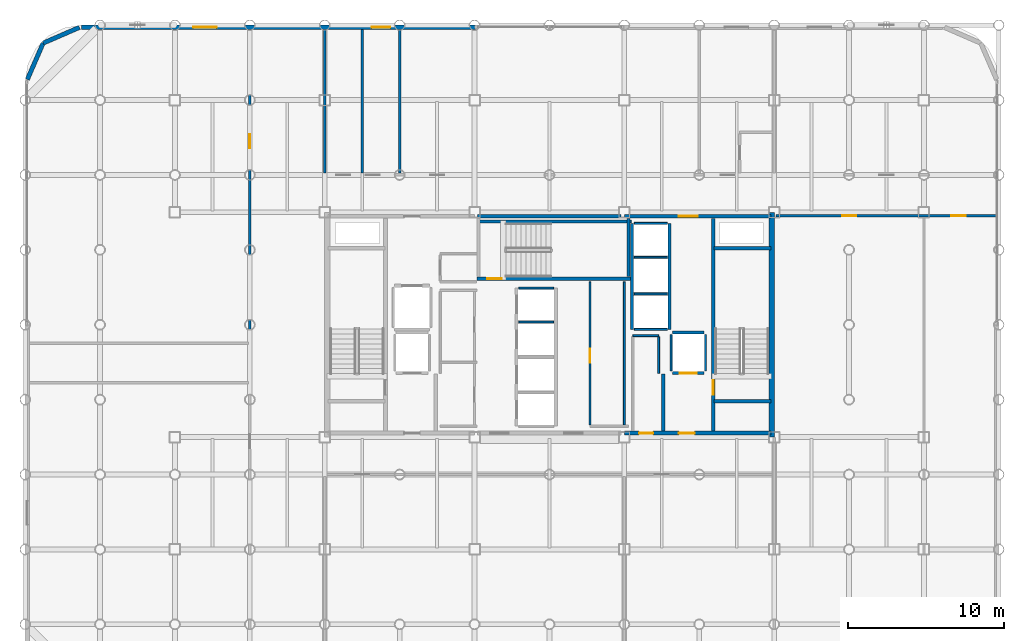
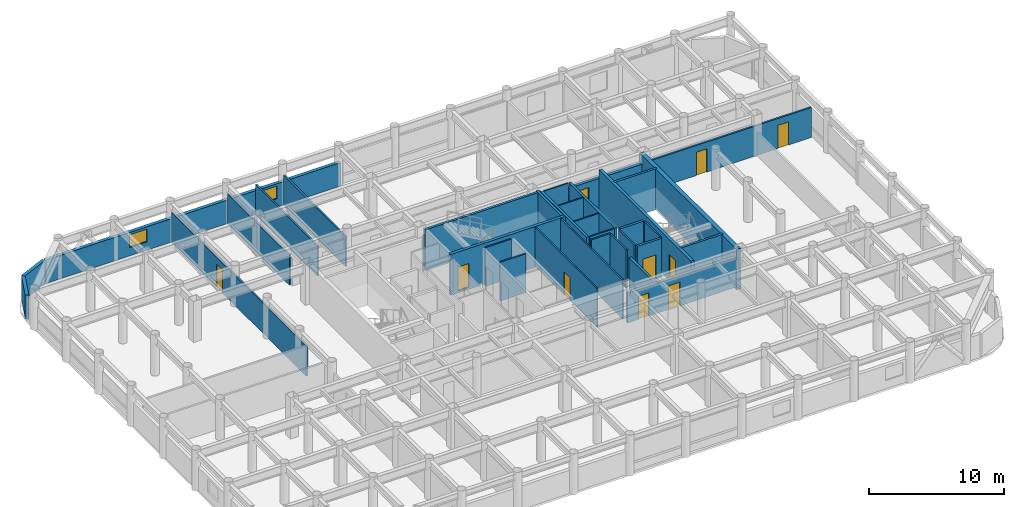
# One storey, part 17 of 19: 35 walls, 10 doors, 2 windows, 12 openings.
"""IFC4 building model written with IfcOpenShell, lengths in metres."""

from ifc_helpers import new_model, si_unit, direction, frame, frame_2d, origin, place, context, subcontext, project, spatial, rectangle, extrude, material, layer, layer_set, type_object, element, fill, save


model = new_model("IFC4")

# Units and contexts
model_context = context("Model", 3, precision=1e-05, world=origin(), true_north=direction((0.0, 1.0)))
body_context = subcontext(model_context, "Body", "Model", "MODEL_VIEW")
ifc_project = project(units=[si_unit("LENGTHUNIT", "METRE"), si_unit("AREAUNIT", "SQUARE_METRE"), si_unit("VOLUMEUNIT", "CUBIC_METRE"), si_unit("PLANEANGLEUNIT", "RADIAN"), si_unit("MASSUNIT", "GRAM", prefix="KILO")], contexts=[model_context])

# Site, building, storey
site_placement = place(None, origin())
site = spatial("IfcSite", under=ifc_project, at=site_placement, CompositionType="ELEMENT")
building_placement = place(site_placement, origin())
building = spatial("IfcBuilding", under=site, at=building_placement, Name="Kallvorn Hotel Tower", CompositionType="ELEMENT")
storey_placement = place(building_placement, frame((0.0, 0.0, 165.5)))
storey = spatial("IfcBuildingStorey", under=building, at=storey_placement, Name="L41", CompositionType="ELEMENT", Elevation=165.5)

# Walls
ifc_material_1 = material(Name="Concrete C50/60", Category="concrete")
ifc_layer_1 = layer(ifc_material_1, 0.35009765625)
ifc_layer_set_1 = layer_set([ifc_layer_1], Name="WL_CORE_350")
wall_type_1 = type_object("IfcWallType", Name="WL_CORE_350", PredefinedType="SHEAR", material=ifc_layer_set_1)
wall_1_placement = place(storey_placement, frame((14.239990234375, -7.199951171875, -0.179931640625), z_axis=(0.0, 0.0, 1.0), x_axis=(0.0, 1.0, 0.0)))
element("IfcWall", 1, at=wall_1_placement, inside=storey, type_object=wall_type_1, Name="L41 Core East Shear Wall", PredefinedType="SHEAR", context=body_context, shape_type="SweptSolid", body=[
    extrude(rectangle(XDim=14.39990234375, YDim=0.35009765625, at=frame_2d((7.199951171875, 0.0))), origin(), (0.0, 0.0, 1.0), 3.699951171875),
])
ifc_material_2 = material(Name="Precast basalt-clad insulated concrete wall C40/50", Category="masonry")
ifc_layer_2 = layer(ifc_material_2, 0.280029296875)
ifc_layer_set_2 = layer_set([ifc_layer_2], Name="WL_EXT_LOGGIA_280")
wall_type_2 = type_object("IfcWallType", Name="WL_EXT_LOGGIA_280", PredefinedType="SOLIDWALL", material=ifc_layer_set_2)
wall_2_placement = place(storey_placement, frame((-30.120849609375, 19.057861328125, 0.0), z_axis=(0.0, 0.0, 1.0), x_axis=(-0.917060872934, -0.398747232384, 0.0)))
element("IfcWall", 2, at=wall_2_placement, inside=storey, type_object=wall_type_2, Name="L41 Rounded Corner Exterior Wall NW1", PredefinedType="SOLIDWALL", context=body_context, shape_type="SweptSolid", body=[
    extrude(rectangle(XDim=2.5361328125, YDim=0.280029296875, at=frame_2d((1.26806640625, 0.0))), origin(), (0.0, 0.0, 1.0), 2.1201171875),
])
wall_3_placement = place(storey_placement, frame((-32.446533203125, 18.046630859375, 0.0), z_axis=(0.0, 0.0, 1.0), x_axis=(-0.398792985289, -0.917040977756, 0.0)))
element("IfcWall", 3, at=wall_3_placement, inside=storey, type_object=wall_type_2, Name="L41 Rounded Corner Exterior Wall NW2", PredefinedType="SOLIDWALL", context=body_context, shape_type="SweptSolid", body=[
    extrude(rectangle(XDim=2.536376953125, YDim=0.280029296875, at=frame_2d((1.26806640625, 0.0))), origin(), (0.0, 0.0, 1.0), 2.1201171875),
])

# Wall, openings, windows
wall_4_placement = place(storey_placement, frame((-30.0, 19.06005859375, 0.0), z_axis=(0.0, 0.0, 1.0), x_axis=(1.0, 0.0, 0.0)))
wall_4 = element("IfcWall", 4, at=wall_4_placement, inside=storey, type_object=wall_type_2, Name="L41 Exterior Envelope Wall EW-L41-NW", PredefinedType="SOLIDWALL", context=body_context, shape_type="SweptSolid", body=[
    extrude(rectangle(XDim=25.25, YDim=0.280029296875, at=frame_2d((12.625, 0.0))), origin(), (0.0, 0.0, 1.0), 2.1201171875),
])
opening_1_placement = place(wall_4_placement, frame((7.1630859375, 0.0, 0.75)))
opening_1 = element("IfcOpeningElement", 5, at=opening_1_placement, cuts=wall_4, Name="Opening W05A", PredefinedType="OPENING", context=body_context, shape_type="SweptSolid", body=[
    extrude(rectangle(XDim=1.5, YDim=1.14990234375, at=frame_2d((0.75, 0.574951171875))), frame((0.0, 0.155029296875, 0.0), z_axis=(0.0, -1.0, 0.0), x_axis=(1.0, 0.0, 0.0)), (0.0, 0.0, 1.0), 0.31005859375),
])
opening_2_placement = place(wall_4_placement, frame((18.60009765625, 0.0, 0.75)))
opening_2 = element("IfcOpeningElement", 6, at=opening_2_placement, cuts=wall_4, Name="Opening W06A", PredefinedType="OPENING", context=body_context, shape_type="SweptSolid", body=[
    extrude(rectangle(XDim=1.199951171875, YDim=1.14990234375, at=frame_2d((0.60009765625, 0.574951171875))), frame((0.0, 0.155029296875, 0.0), z_axis=(0.0, -1.0, 0.0), x_axis=(1.0, 0.0, 0.0)), (0.0, 0.0, 1.0), 0.31005859375),
])
ifc_material_3 = material(Name="Triple-glazed low-e acoustic solar-control dark glass", Category="glass")
window_type_1 = type_object("IfcWindowType", Name="WN_HTL_1200x1150", PartitioningType="SINGLE_PANEL", PredefinedType="WINDOW", material=ifc_material_3)
window_1_placement = place(opening_2_placement, origin())
window_1 = element("IfcWindow", 7, at=window_1_placement, inside=storey, type_object=window_type_1, Name="L41 Guestroom Exterior Window 07", OverallHeight=1.14990234375, OverallWidth=1.199951171875, PartitioningType="SINGLE_PANEL", PredefinedType="WINDOW", context=body_context, shape_type="SweptSolid", body=[
    extrude(rectangle(XDim=1.199951171875, YDim=1.14990234375, at=frame_2d((0.60009765625, 0.574951171875))), frame((0.0, 0.030029296875, 0.0), z_axis=(0.0, -1.0, 0.0), x_axis=(1.0, 0.0, 0.0)), (0.0, 0.0, 1.0), 0.06005859375),
])
fill(opening_2, window_1)
ifc_material_4 = material(Name="Double-glazed low-e solar-control dark glass", Category="glass")
window_type_2 = type_object("IfcWindowType", Name="WN_HTL_1500x1150", PartitioningType="SINGLE_PANEL", PredefinedType="WINDOW", material=ifc_material_4)
window_2_placement = place(opening_1_placement, origin())
window_2 = element("IfcWindow", 8, at=window_2_placement, inside=storey, type_object=window_type_2, Name="L41 Guestroom Exterior Window 03", OverallHeight=1.14990234375, OverallWidth=1.5, PartitioningType="SINGLE_PANEL", PredefinedType="WINDOW", context=body_context, shape_type="SweptSolid", body=[
    extrude(rectangle(XDim=1.5, YDim=1.14990234375, at=frame_2d((0.75, 0.574951171875))), frame((0.0, 0.030029296875, 0.0), z_axis=(0.0, -1.0, 0.0), x_axis=(1.0, 0.0, 0.0)), (0.0, 0.0, 1.0), 0.06005859375),
])
fill(opening_1, window_2)

# Walls
ifc_material_5 = material(Name="Concrete C40/50", Category="concrete")
ifc_layer_3 = layer(ifc_material_5, 0.219970703125)
ifc_layer_set_3 = layer_set([ifc_layer_3], Name="WL_FFL_220")
wall_type_3 = type_object("IfcWallType", Name="WL_FFL_220", PredefinedType="SOLIDWALL", material=ifc_layer_set_3)
wall_5_placement = place(storey_placement, frame((7.300048828125, -6.820068359375, 0.0), z_axis=(0.0, 0.0, 1.0), x_axis=(0.0, 1.0, 0.0)))
element("IfcWall", 9, at=wall_5_placement, inside=storey, type_object=wall_type_3, Name="L41 Firefighting Lobby East Divider Wall", PredefinedType="SOLIDWALL", context=body_context, shape_type="SweptSolid", body=[
    extrude(rectangle(XDim=3.670166015625, YDim=0.219970703125, at=frame_2d((1.8349609375, 0.0))), origin(), (0.0, 0.0, 1.0), 2.719970703125),
])
ifc_material_6 = material(Name="Concrete C40/50", Category="concrete")
ifc_layer_4 = layer(ifc_material_6, 0.199951171875)
ifc_layer_set_4 = layer_set([ifc_layer_4], Name="WL_HOIST_200")
wall_type_4 = type_object("IfcWallType", Name="WL_HOIST_200", PredefinedType="SOLIDWALL", material=ifc_layer_set_4)
for number, where, z_axis, x_axis, name in (
    (10, (10.550048828125, -4.89990234375, -0.179931640625), (0.0, 0.0, 1.0), (1.0, 0.0, 0.0), "L41 Stair ST2 South Wall"),
    (11, (10.550048828125, 4.89990234375, -0.179931640625), (0.0, 0.0, 1.0), (1.0, 0.0, 0.0), "L41 Stair ST2 North Wall"),
):
    element("IfcWall", number, at=place(storey_placement, frame(where, z_axis=z_axis, x_axis=x_axis)), inside=storey, type_object=wall_type_4, Name=name, PredefinedType="SOLIDWALL", context=body_context, shape_type="SweptSolid", body=[
        extrude(rectangle(XDim=3.64990234375, YDim=0.199951171875, at=frame_2d((1.824951171875, 0.0))), origin(), (0.0, 0.0, 1.0), 3.699951171875),
    ])
wall_6_placement = place(storey_placement, frame((-4.64990234375, 6.610107421875, -0.179931640625), z_axis=(0.0, 0.0, 1.0), x_axis=(1.0, 0.0, 0.0)))
element("IfcWall", 12, at=wall_6_placement, inside=storey, type_object=wall_type_4, Name="L41 Stair ST3 Shaft North Wall", PredefinedType="SOLIDWALL", context=body_context, shape_type="SweptSolid", body=[
    extrude(rectangle(XDim=9.89990234375, YDim=0.199951171875, at=frame_2d((4.949951171875, 0.0))), origin(), (0.0, 0.0, 1.0), 3.699951171875),
])
wall_7_placement = place(storey_placement, frame((5.06005859375, 3.080078125, -0.179931640625), z_axis=(0.0, 0.0, 1.0), x_axis=(0.0, 1.0, 0.0)))
element("IfcWall", 13, at=wall_7_placement, inside=storey, type_object=wall_type_4, Name="L41 Stair ST3 East Wall", PredefinedType="SOLIDWALL", context=body_context, shape_type="SweptSolid", body=[
    extrude(rectangle(XDim=3.739990234375, YDim=0.199951171875, at=frame_2d((1.8701171875, 0.0))), origin(), (0.0, 0.0, 1.0), 3.699951171875),
])
for number, where, z_axis, x_axis, name in (
    (14, (7.699951171875, -0.300048828125, 0.0), (0.0, 0.0, 1.0), (0.0, 1.0, 0.0), "L41 Lift Bank OBS Landing Wall"),
    (15, (5.300048828125, -0.300048828125, 0.0), (0.0, 0.0, 1.0), (0.0, 1.0, 0.0), "L41 Lift Bank OBS Rear Shaft Wall"),
):
    element("IfcWall", number, at=place(storey_placement, frame(where, z_axis=z_axis, x_axis=x_axis)), inside=storey, type_object=wall_type_4, Name=name, PredefinedType="SOLIDWALL", context=body_context, shape_type="SweptSolid", body=[
        extrude(rectangle(XDim=6.800048828125, YDim=0.199951171875, at=frame_2d((3.39990234375, 0.0))), origin(), (0.0, 0.0, 1.0), 3.52001953125),
    ])

# Wall, opening, door
wall_8_placement = place(storey_placement, frame((7.8798828125, -3.10009765625, 0.0), z_axis=(0.0, 0.0, 1.0), x_axis=(1.0, 0.0, 0.0)))
wall_8 = element("IfcWall", 16, at=wall_8_placement, inside=storey, type_object=wall_type_4, Name="L41 FL-2 Landing Wall", PredefinedType="SOLIDWALL", context=body_context, shape_type="SweptSolid", body=[
    extrude(rectangle(XDim=2.0400390625, YDim=0.199951171875, at=frame_2d((1.02001953125, 0.0))), origin(), (0.0, 0.0, 1.0), 3.52001953125),
])
opening_3_placement = place(wall_8_placement, frame((0.469970703125, 0.0, 0.0)))
opening_3 = element("IfcOpeningElement", 17, at=opening_3_placement, cuts=wall_8, Name="Opening LD-FL-2", PredefinedType="OPENING", context=body_context, shape_type="SweptSolid", body=[
    extrude(rectangle(XDim=1.10009765625, YDim=2.199951171875, at=frame_2d((0.550048828125, 1.10009765625))), frame((0.0, 0.114990234375, 0.0), z_axis=(0.0, -1.0, 0.0), x_axis=(1.0, 0.0, 0.0)), (0.0, 0.0, 1.0), 0.22998046875),
])
ifc_material_7 = material(Name="Brushed stainless-steel automatic sliding lift landing door", Category="steel")
door_type_1 = type_object("IfcDoorType", Name="LD_PASS_1100x2200", OperationType="SLIDING_TO_LEFT", PredefinedType="DOOR", material=ifc_material_7)
door_1_placement = place(opening_3_placement, origin())
door_1 = element("IfcDoor", 18, at=door_1_placement, inside=storey, type_object=door_type_1, Name="L41 Lift Landing Sliding Door LD-FL-2", OperationType="SLIDING_TO_LEFT", OverallHeight=2.199951171875, OverallWidth=1.10009765625, PredefinedType="DOOR", context=body_context, shape_type="SweptSolid", body=[
    extrude(rectangle(XDim=1.10009765625, YDim=2.199951171875, at=frame_2d((0.550048828125, 1.10009765625))), frame((0.0, 0.02490234375, 0.0), z_axis=(0.0, -1.0, 0.0), x_axis=(1.0, 0.0, 0.0)), (0.0, 0.0, 1.0), 0.050048828125),
])
fill(opening_3, door_1)

# Walls
wall_9_placement = place(storey_placement, frame((7.8798828125, -0.5, 0.0), z_axis=(0.0, 0.0, 1.0), x_axis=(1.0, 0.0, 0.0)))
element("IfcWall", 19, at=wall_9_placement, inside=storey, type_object=wall_type_4, Name="L41 FL-2 Rear Shaft Wall", PredefinedType="SOLIDWALL", context=body_context, shape_type="SweptSolid", body=[
    extrude(rectangle(XDim=2.0400390625, YDim=0.199951171875, at=frame_2d((1.02001953125, 0.0))), origin(), (0.0, 0.0, 1.0), 3.52001953125),
])
ifc_material_8 = material(Name="Fire-rated double-layer acoustic gypsum drywall EI 60")
ifc_layer_5 = layer(ifc_material_8, 0.1201171875)
ifc_layer_set_5 = layer_set([ifc_layer_5], Name="WL_INT_120")
wall_type_5 = type_object("IfcWallType", Name="WL_INT_120", PredefinedType="PARTITIONING", material=ifc_layer_set_5)
for number, where, z_axis, x_axis, name in (
    (20, (-1.9599609375, 0.175048828125, 0.0), (0.0, 0.0, 1.0), (1.0, 0.0, 0.0), "L41 PL-07 Hoistway Divider"),
    (21, (-1.9599609375, 2.35009765625, 0.0), (0.0, 0.0, 1.0), (1.0, 0.0, 0.0), "L41 PL-08 Hoistway Divider"),
):
    element("IfcWall", number, at=place(storey_placement, frame(where, z_axis=z_axis, x_axis=x_axis)), inside=storey, type_object=wall_type_5, Name=name, PredefinedType="PARTITIONING", context=body_context, shape_type="SweptSolid", body=[
        extrude(rectangle(XDim=2.219970703125, YDim=0.1201171875, at=frame_2d((1.10986328125, 0.0))), origin(), (0.0, 0.0, 1.0), 3.52001953125),
    ])
for number, where, z_axis, x_axis, name in (
    (22, (5.43994140625, -0.300048828125, 0.0), (0.0, 0.0, 1.0), (1.0, 0.0, 0.0), "L41 Lift Bank OBS South Closure Wall"),
    (23, (5.43994140625, 1.97509765625, 0.0), (0.0, 0.0, 1.0), (1.0, 0.0, 0.0), "L41 OB-01 Hoistway Divider"),
    (24, (5.43994140625, 4.324951171875, 0.0), (0.0, 0.0, 1.0), (1.0, 0.0, 0.0), "L41 OB-02 Hoistway Divider"),
    (25, (5.43994140625, 6.5, 0.0), (0.0, 0.0, 1.0), (1.0, 0.0, 0.0), "L41 OB-03 Hoistway Divider"),
):
    element("IfcWall", number, at=place(storey_placement, frame(where, z_axis=z_axis, x_axis=x_axis)), inside=storey, type_object=wall_type_5, Name=name, PredefinedType="PARTITIONING", context=body_context, shape_type="SweptSolid", body=[
        extrude(rectangle(XDim=2.1201171875, YDim=0.1201171875, at=frame_2d((1.06005859375, 0.0))), origin(), (0.0, 0.0, 1.0), 3.52001953125),
    ])
for number, where, z_axis, x_axis, name in (
    (26, (7.800048828125, -2.9599609375, 0.0), (0.0, 0.0, 1.0), (0.0, 1.0, 0.0), "L41 FL-2 West Shaft Wall"),
    (27, (10.0, -2.9599609375, 0.0), (0.0, 0.0, 1.0), (0.0, 1.0, 0.0), "L41 FL-2 East Shaft Wall"),
):
    element("IfcWall", number, at=place(storey_placement, frame(where, z_axis=z_axis, x_axis=x_axis)), inside=storey, type_object=wall_type_5, Name=name, PredefinedType="PARTITIONING", context=body_context, shape_type="SweptSolid", body=[
        extrude(rectangle(XDim=2.320068359375, YDim=0.1201171875, at=frame_2d((1.16015625, 0.0))), origin(), (0.0, 0.0, 1.0), 3.52001953125),
    ])
wall_10_placement = place(storey_placement, frame((5.35009765625, -0.699951171875, 0.0), z_axis=(0.0, 0.0, 1.0), x_axis=(1.0, 0.0, 0.0)))
element("IfcWall", 28, at=wall_10_placement, inside=storey, type_object=wall_type_5, Name="L41 Core Utility and Meter Room Partition", PredefinedType="PARTITIONING", context=body_context, shape_type="SweptSolid", body=[
    extrude(rectangle(XDim=1.64990234375, YDim=0.1201171875, at=frame_2d((0.824951171875, 0.0))), origin(), (0.0, 0.0, 1.0), 3.52001953125),
])

# Wall, opening, door
wall_11_placement = place(storey_placement, frame((2.60009765625, -6.4150390625, 0.0), z_axis=(0.0, 0.0, 1.0), x_axis=(0.0, 1.0, 0.0)))
wall_11 = element("IfcWall", 29, at=wall_11_placement, inside=storey, type_object=wall_type_5, Name="L41 East Core Consolidated Linen and Supply Store Partition", PredefinedType="PARTITIONING", context=body_context, shape_type="SweptSolid", body=[
    extrude(rectangle(XDim=9.1650390625, YDim=0.1201171875, at=frame_2d((4.58251953125, 0.0))), origin(), (0.0, 0.0, 1.0), 3.52001953125),
])
opening_4_placement = place(wall_11_placement, frame((3.965087890625, 0.0, 0.0)))
opening_4 = element("IfcOpeningElement", 30, at=opening_4_placement, cuts=wall_11, Name="Opening SVD1", PredefinedType="OPENING", context=body_context, shape_type="SweptSolid", body=[
    extrude(rectangle(XDim=0.89990234375, YDim=2.10009765625, at=frame_2d((0.449951171875, 1.050048828125))), frame((0.0, 0.074951171875, 0.0), z_axis=(0.0, -1.0, 0.0), x_axis=(1.0, 0.0, 0.0)), (0.0, 0.0, 1.0), 0.150146484375),
])
ifc_material_9 = material(Name="Galvanised painted steel fire-rated door assembly", Category="steel")
door_type_2 = type_object("IfcDoorType", Name="DR_SERV_900x2100", OperationType="NOTDEFINED", PredefinedType="DOOR", material=ifc_material_9)
door_2_placement = place(opening_4_placement, origin())
door_2 = element("IfcDoor", 31, at=door_2_placement, inside=storey, type_object=door_type_2, Name="L41 East Core Consolidated Linen and Supply Store Door", OperationType="SINGLE_SWING_RIGHT", OverallHeight=2.10009765625, OverallWidth=0.89990234375, PredefinedType="DOOR", context=body_context, shape_type="SweptSolid", body=[
    extrude(rectangle(XDim=0.89990234375, YDim=2.10009765625, at=frame_2d((0.449951171875, 1.050048828125))), frame((0.0, 0.02490234375, 0.0), z_axis=(0.0, -1.0, 0.0), x_axis=(1.0, 0.0, 0.0)), (0.0, 0.0, 1.0), 0.050048828125),
])
fill(opening_4, door_2)

# Walls
wall_12_placement = place(storey_placement, frame((4.800048828125, -6.4150390625, 0.0), z_axis=(0.0, 0.0, 1.0), x_axis=(0.0, 1.0, 0.0)))
element("IfcWall", 32, at=wall_12_placement, inside=storey, type_object=wall_type_5, Name="L41 East Core Consolidated Linen and Supply Store Partition", PredefinedType="PARTITIONING", context=body_context, shape_type="SweptSolid", body=[
    extrude(rectangle(XDim=9.1650390625, YDim=0.1201171875, at=frame_2d((4.58251953125, 0.0))), origin(), (0.0, 0.0, 1.0), 3.52001953125),
])
wall_13_placement = place(storey_placement, frame((7.0, -3.110107421875, 0.0), z_axis=(0.0, 0.0, 1.0), x_axis=(0.0, 1.0, 0.0)))
element("IfcWall", 33, at=wall_13_placement, inside=storey, type_object=wall_type_5, Name="L41 Core Utility and Meter Room Partition", PredefinedType="PARTITIONING", context=body_context, shape_type="SweptSolid", body=[
    extrude(rectangle(XDim=2.3251953125, YDim=0.1201171875, at=frame_2d((1.16259765625, 0.0))), origin(), (0.0, 0.0, 1.0), 3.52001953125),
])

# Wall, openings, doors
ifc_material_10 = material(Name="Fire-rated double-layer acoustic gypsum drywall EI 60")
ifc_layer_6 = layer(ifc_material_10, 0.14990234375)
ifc_layer_set_6 = layer_set([ifc_layer_6], Name="WL_PART_150")
wall_type_6 = type_object("IfcWallType", Name="WL_PART_150", PredefinedType="PARTITIONING", material=ifc_layer_set_6)
wall_14_placement = place(storey_placement, frame((14.52001953125, 6.97998046875, 0.0), z_axis=(0.0, 0.0, 1.0), x_axis=(1.0, 0.0, 0.0)))
wall_14 = element("IfcWall", 34, at=wall_14_placement, inside=storey, type_object=wall_type_6, Name="L41 L41 South-East Cocktail Bar Partition", PredefinedType="PARTITIONING", context=body_context, shape_type="SweptSolid", body=[
    extrude(rectangle(XDim=14.10986328125, YDim=0.14990234375, at=frame_2d((7.054931640625, 0.0))), origin(), (0.0, 0.0, 1.0), 2.719970703125),
])
opening_5_placement = place(wall_14_placement, frame((4.22998046875, 0.0, 0.0)))
opening_5 = element("IfcOpeningElement", 35, at=opening_5_placement, cuts=wall_14, Name="Opening SVD1", PredefinedType="OPENING", context=body_context, shape_type="SweptSolid", body=[
    extrude(rectangle(XDim=0.89990234375, YDim=2.10009765625, at=frame_2d((0.449951171875, 1.050048828125))), frame((0.0, 0.08984375, 0.0), z_axis=(0.0, -1.0, 0.0), x_axis=(1.0, 0.0, 0.0)), (0.0, 0.0, 1.0), 0.179931640625),
])
opening_6_placement = place(wall_14_placement, frame((11.2451171875, 0.0, 0.0)))
opening_6 = element("IfcOpeningElement", 36, at=opening_6_placement, cuts=wall_14, Name="Opening SVD1", PredefinedType="OPENING", context=body_context, shape_type="SweptSolid", body=[
    extrude(rectangle(XDim=0.89990234375, YDim=2.10009765625, at=frame_2d((0.449951171875, 1.050048828125))), frame((0.0, 0.08984375, 0.0), z_axis=(0.0, -1.0, 0.0), x_axis=(1.0, 0.0, 0.0)), (0.0, 0.0, 1.0), 0.179931640625),
])
door_3_placement = place(opening_5_placement, origin())
door_3 = element("IfcDoor", 37, at=door_3_placement, inside=storey, type_object=door_type_2, Name="L41 L41 South-East Cocktail Bar Door", OperationType="SINGLE_SWING_RIGHT", OverallHeight=2.10009765625, OverallWidth=0.89990234375, PredefinedType="DOOR", context=body_context, shape_type="SweptSolid", body=[
    extrude(rectangle(XDim=0.89990234375, YDim=2.10009765625, at=frame_2d((0.449951171875, 1.050048828125))), frame((0.0, 0.02490234375, 0.0), z_axis=(0.0, -1.0, 0.0), x_axis=(1.0, 0.0, 0.0)), (0.0, 0.0, 1.0), 0.050048828125),
])
fill(opening_5, door_3)
door_4_placement = place(opening_6_placement, origin())
door_4 = element("IfcDoor", 38, at=door_4_placement, inside=storey, type_object=door_type_2, Name="L41 L41 Far-East Design Boutique Door", OperationType="SINGLE_SWING_LEFT", OverallHeight=2.10009765625, OverallWidth=0.89990234375, PredefinedType="DOOR", context=body_context, shape_type="SweptSolid", body=[
    extrude(rectangle(XDim=0.89990234375, YDim=2.10009765625, at=frame_2d((0.449951171875, 1.050048828125))), frame((0.0, 0.02490234375, 0.0), z_axis=(0.0, -1.0, 0.0), x_axis=(1.0, 0.0, 0.0)), (0.0, 0.0, 1.0), 0.050048828125),
])
fill(opening_6, door_4)

# Wall, opening, door
wall_15_placement = place(storey_placement, frame((-19.199951171875, -1.094970703125, 0.0), z_axis=(0.0, 0.0, 1.0), x_axis=(0.0, 1.0, 0.0)))
wall_15 = element("IfcWall", 39, at=wall_15_placement, inside=storey, type_object=wall_type_6, Name="L41 L41 North-West Cordillera Fitness Gymnasium Partition", PredefinedType="PARTITIONING", context=body_context, shape_type="SweptSolid", body=[
    extrude(rectangle(XDim=20.0048828125, YDim=0.14990234375, at=frame_2d((10.00244140625, 0.0))), origin(), (0.0, 0.0, 1.0), 2.719970703125),
])
opening_7_placement = place(wall_15_placement, frame((12.39697265625, 0.0, 0.0)))
opening_7 = element("IfcOpeningElement", 40, at=opening_7_placement, cuts=wall_15, Name="Opening SVD1", PredefinedType="OPENING", context=body_context, shape_type="SweptSolid", body=[
    extrude(rectangle(XDim=0.89990234375, YDim=2.10009765625, at=frame_2d((0.449951171875, 1.050048828125))), frame((0.0, 0.08984375, 0.0), z_axis=(0.0, -1.0, 0.0), x_axis=(1.0, 0.0, 0.0)), (0.0, 0.0, 1.0), 0.179931640625),
])
door_5_placement = place(opening_7_placement, origin())
door_5 = element("IfcDoor", 41, at=door_5_placement, inside=storey, type_object=door_type_2, Name="L41 L41 North-West Cordillera Fitness Gymnasium Door", OperationType="SINGLE_SWING_LEFT", OverallHeight=2.10009765625, OverallWidth=0.89990234375, PredefinedType="DOOR", context=body_context, shape_type="SweptSolid", body=[
    extrude(rectangle(XDim=0.89990234375, YDim=2.10009765625, at=frame_2d((0.449951171875, 1.050048828125))), frame((0.0, 0.02490234375, 0.0), z_axis=(0.0, -1.0, 0.0), x_axis=(1.0, 0.0, 0.0)), (0.0, 0.0, 1.0), 0.050048828125),
])
fill(opening_7, door_5)

# Walls
for number, where, z_axis, x_axis, name in (
    (42, (-14.39990234375, 9.719970703125, 0.0), (0.0, 0.0, 1.0), (0.0, 1.0, 0.0), "L41 Housekeeping and Linen Room Partition"),
    (43, (-12.0, 9.719970703125, 0.0), (0.0, 0.0, 1.0), (0.0, 1.0, 0.0), "L41 Guest Tea and Refreshment Bar Partition"),
    (44, (-9.60009765625, 9.719970703125, 0.0), (0.0, 0.0, 1.0), (0.0, 1.0, 0.0), "L41 Guest Tea and Refreshment Bar Partition"),
):
    element("IfcWall", number, at=place(storey_placement, frame(where, z_axis=z_axis, x_axis=x_axis)), inside=storey, type_object=wall_type_6, Name=name, PredefinedType="PARTITIONING", context=body_context, shape_type="SweptSolid", body=[
        extrude(rectangle(XDim=9.18994140625, YDim=0.14990234375, at=frame_2d((4.594970703125, 0.0))), origin(), (0.0, 0.0, 1.0), 2.719970703125),
    ])

# Wall, openings, doors
ifc_material_11 = material(Name="Concrete C40/50", Category="concrete")
ifc_layer_7 = layer(ifc_material_11, 0.25)
ifc_layer_set_7 = layer_set([ifc_layer_7], Name="WL_SHAFT_250")
wall_type_7 = type_object("IfcWallType", Name="WL_SHAFT_250", PredefinedType="SOLIDWALL", material=ifc_layer_set_7)
wall_16_placement = place(storey_placement, frame((4.800048828125, -6.949951171875, 0.0), z_axis=(0.0, 0.0, 1.0), x_axis=(1.0, 0.0, 0.0)))
wall_16 = element("IfcWall", 45, at=wall_16_placement, inside=storey, type_object=wall_type_7, Name="L41 Core South-East Wall", PredefinedType="SOLIDWALL", context=body_context, shape_type="SweptSolid", body=[
    extrude(rectangle(XDim=9.39990234375, YDim=0.25, at=frame_2d((4.699951171875, 0.0))), origin(), (0.0, 0.0, 1.0), 2.719970703125),
])
opening_8_placement = place(wall_16_placement, frame((3.5, 0.0, 0.0)))
opening_8 = element("IfcOpeningElement", 46, at=opening_8_placement, cuts=wall_16, Name="Opening FD1", PredefinedType="OPENING", context=body_context, shape_type="SweptSolid", body=[
    extrude(rectangle(XDim=1.0, YDim=2.14990234375, at=frame_2d((0.5, 1.074951171875))), frame((0.0, 0.139892578125, 0.0), z_axis=(0.0, -1.0, 0.0), x_axis=(1.0, 0.0, 0.0)), (0.0, 0.0, 1.0), 0.280029296875),
])
opening_9_placement = place(wall_16_placement, frame((0.949951171875, 0.0, 0.0)))
opening_9 = element("IfcOpeningElement", 47, at=opening_9_placement, cuts=wall_16, Name="Opening SVD1", PredefinedType="OPENING", context=body_context, shape_type="SweptSolid", body=[
    extrude(rectangle(XDim=0.89990234375, YDim=2.10009765625, at=frame_2d((0.449951171875, 1.050048828125))), frame((0.0, 0.139892578125, 0.0), z_axis=(0.0, -1.0, 0.0), x_axis=(1.0, 0.0, 0.0)), (0.0, 0.0, 1.0), 0.280029296875),
])
ifc_material_12 = material(Name="Galvanised painted steel fire-rated door assembly", Category="steel")
door_type_3 = type_object("IfcDoorType", Name="DR_FFL_1000x2150", OperationType="NOTDEFINED", PredefinedType="DOOR", material=ifc_material_12)
door_6_placement = place(opening_8_placement, origin())
door_6 = element("IfcDoor", 48, at=door_6_placement, inside=storey, type_object=door_type_3, Name="L41 Firefighting Lobby East Door", OperationType="SINGLE_SWING_LEFT", OverallHeight=2.14990234375, OverallWidth=1.0, PredefinedType="DOOR", context=body_context, shape_type="SweptSolid", body=[
    extrude(rectangle(XDim=1.0, YDim=2.14990234375, at=frame_2d((0.5, 1.074951171875))), frame((0.0, 0.02490234375, 0.0), z_axis=(0.0, -1.0, 0.0), x_axis=(1.0, 0.0, 0.0)), (0.0, 0.0, 1.0), 0.050048828125),
])
fill(opening_8, door_6)
door_7_placement = place(opening_9_placement, origin())
door_7 = element("IfcDoor", 49, at=door_7_placement, inside=storey, type_object=door_type_2, Name="L41 Core Utility and Meter Room Door", OperationType="SINGLE_SWING_RIGHT", OverallHeight=2.10009765625, OverallWidth=0.89990234375, PredefinedType="DOOR", context=body_context, shape_type="SweptSolid", body=[
    extrude(rectangle(XDim=0.89990234375, YDim=2.10009765625, at=frame_2d((0.449951171875, 1.050048828125))), frame((0.0, 0.02490234375, 0.0), z_axis=(0.0, -1.0, 0.0), x_axis=(1.0, 0.0, 0.0)), (0.0, 0.0, 1.0), 0.050048828125),
])
fill(opening_9, door_7)

# Wall
wall_17_placement = place(storey_placement, frame((-4.60009765625, 6.949951171875, 0.0), z_axis=(0.0, 0.0, 1.0), x_axis=(1.0, 0.0, 0.0)))
element("IfcWall", 50, at=wall_17_placement, inside=storey, type_object=wall_type_7, Name="L41 Core North-Central Wall", PredefinedType="SOLIDWALL", context=body_context, shape_type="SweptSolid", body=[
    extrude(rectangle(XDim=9.2001953125, YDim=0.25, at=frame_2d((4.60009765625, 0.0))), origin(), (0.0, 0.0, 1.0), 2.719970703125),
])

# Wall, opening, door
wall_18_placement = place(storey_placement, frame((4.800048828125, 6.949951171875, 0.0), z_axis=(0.0, 0.0, 1.0), x_axis=(1.0, 0.0, 0.0)))
wall_18 = element("IfcWall", 51, at=wall_18_placement, inside=storey, type_object=wall_type_7, Name="L41 Core North-East Wall", PredefinedType="SOLIDWALL", context=body_context, shape_type="SweptSolid", body=[
    extrude(rectangle(XDim=9.39990234375, YDim=0.25, at=frame_2d((4.699951171875, 0.0))), origin(), (0.0, 0.0, 1.0), 2.719970703125),
])
opening_10_placement = place(wall_18_placement, frame((3.5, 0.0, 0.0)))
opening_10 = element("IfcOpeningElement", 52, at=opening_10_placement, cuts=wall_18, Name="Opening FD2", PredefinedType="OPENING", context=body_context, shape_type="SweptSolid", body=[
    extrude(rectangle(XDim=1.199951171875, YDim=2.199951171875, at=frame_2d((0.60009765625, 1.10009765625))), frame((0.0, 0.139892578125, 0.0), z_axis=(0.0, -1.0, 0.0), x_axis=(1.0, 0.0, 0.0)), (0.0, 0.0, 1.0), 0.280029296875),
])
ifc_material_13 = material(Name="Galvanised painted steel fire-rated door assembly", Category="steel")
door_type_4 = type_object("IfcDoorType", Name="DR_LOBBY_1200x2200", OperationType="DOUBLE_DOOR_SINGLE_SWING", PredefinedType="DOOR", material=ifc_material_13)
door_8_placement = place(opening_10_placement, origin())
door_8 = element("IfcDoor", 53, at=door_8_placement, inside=storey, type_object=door_type_4, Name="L41 Observatory Shuttle Lobby Door", OperationType="DOUBLE_DOOR_SINGLE_SWING", OverallHeight=2.199951171875, OverallWidth=1.199951171875, PredefinedType="DOOR", context=body_context, shape_type="SweptSolid", body=[
    extrude(rectangle(XDim=1.199951171875, YDim=2.199951171875, at=frame_2d((0.60009765625, 1.10009765625))), frame((0.0, 0.02490234375, 0.0), z_axis=(0.0, -1.0, 0.0), x_axis=(1.0, 0.0, 0.0)), (0.0, 0.0, 1.0), 0.050048828125),
])
fill(opening_10, door_8)

wall_19_placement = place(storey_placement, frame((10.5, -6.820068359375, -0.179931640625), z_axis=(0.0, 0.0, 1.0), x_axis=(0.0, 1.0, 0.0)))
wall_19 = element("IfcWall", 54, at=wall_19_placement, inside=storey, type_object=wall_type_7, Name="L41 Stair ST2 Shaft Wall", PredefinedType="SOLIDWALL", context=body_context, shape_type="SweptSolid", body=[
    extrude(rectangle(XDim=13.64013671875, YDim=0.25, at=frame_2d((6.820068359375, 0.0))), origin(), (0.0, 0.0, 1.0), 3.699951171875),
])
opening_11_placement = place(wall_19_placement, frame((2.320068359375, 0.0, 0.179931640625)))
opening_11 = element("IfcOpeningElement", 55, at=opening_11_placement, cuts=wall_19, Name="Opening SD1", PredefinedType="OPENING", context=body_context, shape_type="SweptSolid", body=[
    extrude(rectangle(XDim=0.949951171875, YDim=2.14990234375, at=frame_2d((0.47509765625, 1.074951171875))), frame((0.0, 0.139892578125, 0.0), z_axis=(0.0, -1.0, 0.0), x_axis=(1.0, 0.0, 0.0)), (0.0, 0.0, 1.0), 0.280029296875),
])
ifc_material_14 = material(Name="Galvanised painted steel fire-rated door assembly", Category="steel")
door_type_5 = type_object("IfcDoorType", Name="DR_STAIR_950x2150", OperationType="NOTDEFINED", PredefinedType="DOOR", material=ifc_material_14)
door_9_placement = place(opening_11_placement, origin())
door_9 = element("IfcDoor", 56, at=door_9_placement, inside=storey, type_object=door_type_5, Name="L41 Exit Stair ST2 Fire Door", OperationType="SINGLE_SWING_RIGHT", OverallHeight=2.14990234375, OverallWidth=0.949951171875, PredefinedType="DOOR", context=body_context, shape_type="SweptSolid", body=[
    extrude(rectangle(XDim=0.949951171875, YDim=2.14990234375, at=frame_2d((0.47509765625, 1.074951171875))), frame((0.0, 0.02490234375, 0.0), z_axis=(0.0, -1.0, 0.0), x_axis=(1.0, 0.0, 0.0)), (0.0, 0.0, 1.0), 0.050048828125),
])
fill(opening_11, door_9)

wall_20_placement = place(storey_placement, frame((-4.64990234375, 2.949951171875, -0.179931640625), z_axis=(0.0, 0.0, 1.0), x_axis=(1.0, 0.0, 0.0)))
wall_20 = element("IfcWall", 57, at=wall_20_placement, inside=storey, type_object=wall_type_7, Name="L41 Stair ST3 Shaft South Wall", PredefinedType="SOLIDWALL", context=body_context, shape_type="SweptSolid", body=[
    extrude(rectangle(XDim=9.89990234375, YDim=0.25, at=frame_2d((4.949951171875, 0.0))), origin(), (0.0, 0.0, 1.0), 3.699951171875),
])
opening_12_placement = place(wall_20_placement, frame((0.64990234375, 0.0, 0.179931640625)))
opening_12 = element("IfcOpeningElement", 58, at=opening_12_placement, cuts=wall_20, Name="Opening SD1", PredefinedType="OPENING", context=body_context, shape_type="SweptSolid", body=[
    extrude(rectangle(XDim=0.949951171875, YDim=2.14990234375, at=frame_2d((0.47509765625, 1.074951171875))), frame((0.0, 0.139892578125, 0.0), z_axis=(0.0, -1.0, 0.0), x_axis=(1.0, 0.0, 0.0)), (0.0, 0.0, 1.0), 0.280029296875),
])
door_10_placement = place(opening_12_placement, origin())
door_10 = element("IfcDoor", 59, at=door_10_placement, inside=storey, type_object=door_type_5, Name="L41 Exit Stair ST3 Fire Door", OperationType="SINGLE_SWING_LEFT", OverallHeight=2.14990234375, OverallWidth=0.949951171875, PredefinedType="DOOR", context=body_context, shape_type="SweptSolid", body=[
    extrude(rectangle(XDim=0.949951171875, YDim=2.14990234375, at=frame_2d((0.47509765625, 1.074951171875))), frame((0.0, 0.02490234375, 0.0), z_axis=(0.0, -1.0, 0.0), x_axis=(1.0, 0.0, 0.0)), (0.0, 0.0, 1.0), 0.050048828125),
])
fill(opening_12, door_10)

save(model, "model.ifc")
